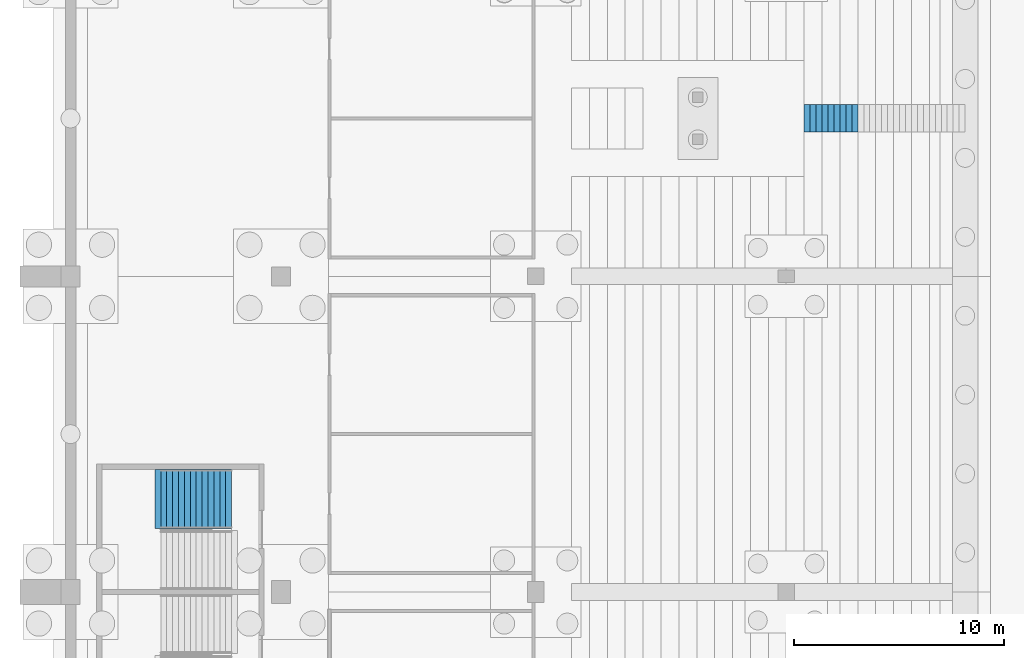
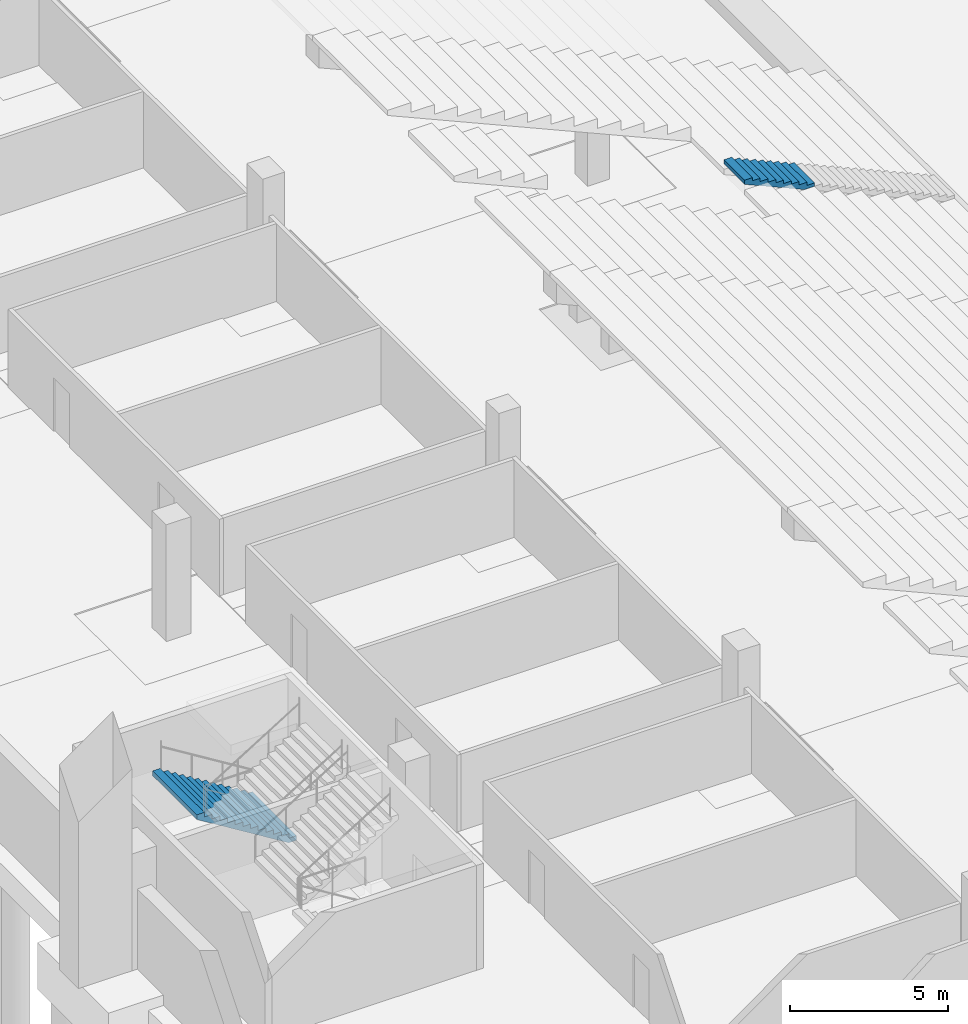
# One storey, part 75 of 115: 2 stair flights, 2 elements without a shape of their own.
"""IFC4 building model written with IfcOpenShell, lengths in metres."""

import ifcopenshell
import ifcopenshell.guid

model = None  # the IFC model being written
_history = None  # IfcOwnerHistory: only IFC2X3 demands one
_inside = {}  # id of a spatial element -> (the spatial element, [elements in it])
_under = {}  # id of a project, library or spatial element -> (it, [spatial elements below it])
_declared = {}  # id of a project -> (the project, [libraries it declares])
_typed = {}  # id of a type object -> (the type object, [elements of that type])
_made_of = {}  # id of a material, layer set ... -> (it, [elements and type objects made of it])


def new_model(schema):
    """Start an empty IFC model of exactly this schema.

    Asked for "IFC4X3", IfcOpenShell would pick the latest addendum, in which some entities
    have other attributes; the version numbers below select the first issue.
    IFC2X3 requires an IfcOwnerHistory on every rooted entity: one is made here for all.
    """
    global model, _history
    if schema == "IFC4X3":
        model = ifcopenshell.file(schema_version=(4, 3, 0, 0))
    else:
        model = ifcopenshell.file(schema=schema)
    _inside.clear()
    _under.clear()
    _declared.clear()
    _typed.clear()
    _made_of.clear()
    _history = None
    if model.schema == "IFC2X3":
        org = make("IfcOrganization", Name="unknown")
        user = make(
            "IfcPersonAndOrganization",
            ThePerson=make("IfcPerson", FamilyName="unknown"),
            TheOrganization=org,
        )
        app = make(
            "IfcApplication",
            ApplicationDeveloper=org,
            Version="unknown",
            ApplicationFullName="unknown",
            ApplicationIdentifier="unknown",
        )
        _history = make(
            "IfcOwnerHistory",
            OwningUser=user,
            OwningApplication=app,
            ChangeAction="ADDED",
            CreationDate=0,
        )
    return model


def make(cls, **values):
    """One entity of the class cls with the attributes given. An attribute that is None is left unset."""
    return model.create_entity(
        cls, **{name: value for name, value in values.items() if value is not None}
    )


def rooted(cls, **values):
    """An entity with a GlobalId (a new one), such as an element, a storey or a relation."""
    return make(cls, GlobalId=ifcopenshell.guid.new(), OwnerHistory=_history, **values)


def si_unit(unit_type, name, prefix=None):
    """IfcSIUnit, for example si_unit("LENGTHUNIT", "METRE", prefix="MILLI")."""
    return make("IfcSIUnit", UnitType=unit_type, Prefix=prefix, Name=name)


def assignment(units):
    """IfcUnitAssignment: the units of a project."""
    return None if units is None else make("IfcUnitAssignment", Units=units)


def point(xyz):
    """IfcCartesianPoint."""
    return None if xyz is None else make("IfcCartesianPoint", Coordinates=xyz)


def direction(xyz):
    """IfcDirection."""
    return None if xyz is None else make("IfcDirection", DirectionRatios=xyz)


def frame(location, z_axis=None, x_axis=None):
    """IfcAxis2Placement3D, a coordinate frame: its origin and axes. An axis left out is left unset."""
    return make(
        "IfcAxis2Placement3D",
        Location=point(location),
        Axis=direction(z_axis),
        RefDirection=direction(x_axis),
    )


def origin():
    """The frame at (0, 0, 0) with its axes left unset."""
    return frame((0.0, 0.0, 0.0))


def place(relative_to, where):
    """IfcLocalPlacement: puts the frame where relative to a parent placement (None: the world)."""
    return make(
        "IfcLocalPlacement", PlacementRelTo=relative_to, RelativePlacement=where
    )


def context(
    kind, dimensions, precision=None, world=None, true_north=None, identifier=None
):
    """IfcGeometricRepresentationContext, for example the 3D "Model" context."""
    return make(
        "IfcGeometricRepresentationContext",
        ContextIdentifier=identifier,
        ContextType=kind,
        CoordinateSpaceDimension=dimensions,
        Precision=precision,
        WorldCoordinateSystem=world,
        TrueNorth=true_north,
    )


def subcontext(parent, identifier, kind, view, scale=None):
    """IfcGeometricRepresentationSubContext, for example "Body" below "Model"."""
    return make(
        "IfcGeometricRepresentationSubContext",
        ContextIdentifier=identifier,
        ContextType=kind,
        ParentContext=parent,
        TargetScale=scale,
        TargetView=view,
    )


def project(units=None, contexts=None):
    """IfcProject with its units and contexts."""
    return rooted(
        "IfcProject",
        Name="project",
        RepresentationContexts=contexts,
        UnitsInContext=assignment(units),
    )


def spatial(cls, under=None, at=None, **own):
    """A site, building, storey or space (cls), placed at a placement, below another one or the project."""
    s = rooted(cls, ObjectPlacement=at, **own)
    if under is not None:
        _under.setdefault(under.id(), (under, []))[1].append(s)
    return s


def faces_of(points, faces, orient=None, outer=None):
    """IfcFace entities. A face is a list of loops; a loop is a list of indices into points, from 0.

    orient and outer hold one flag for each loop. By default every Orientation is true, the
    first loop of a face is its IfcFaceOuterBound and the others are IfcFaceBound.
    """
    made = []
    for i, loops in enumerate(faces):
        bounds = []
        for j, loop in enumerate(loops):
            is_outer = j == 0 if outer is None else outer[i][j]
            bounds.append(
                make(
                    "IfcFaceOuterBound" if is_outer else "IfcFaceBound",
                    Bound=make("IfcPolyLoop", Polygon=[points[k] for k in loop]),
                    Orientation=True if orient is None else orient[i][j],
                )
            )
        made.append(make("IfcFace", Bounds=bounds))
    return made


def faceted_brep(points, faces, orient=None, outer=None, voids=None):
    """IfcFacetedBrep: a solid bounded by flat faces; with voids (closed shells), ...WithVoids."""
    shared = [point(p) for p in points]
    hull = make("IfcClosedShell", CfsFaces=faces_of(shared, faces, orient, outer))
    if voids is None:
        return make("IfcFacetedBrep", Outer=hull)
    return make(
        "IfcFacetedBrepWithVoids",
        Outer=hull,
        Voids=[
            make(cls, CfsFaces=faces_of(shared, fs, o, b)) for cls, fs, o, b in voids
        ],
    )


def shape(context_of_items, identifier, shape_type, items):
    """IfcShapeRepresentation: the items that make up one representation, for example the "Body"."""
    return make(
        "IfcShapeRepresentation",
        ContextOfItems=context_of_items,
        RepresentationIdentifier=identifier,
        RepresentationType=shape_type,
        Items=items,
    )


def material(Name=None, Category=None):
    """IfcMaterial."""
    return make("IfcMaterial", Name=Name, Category=Category)


def made_of(thing, what):
    """Note that an element or type object is made of a material, layer set ...; save() writes the relation."""
    if what is not None:
        _made_of.setdefault(what.id(), (what, []))[1].append(thing)
    return thing


def type_object(cls, material=None, **own):
    """A type object (cls), such as IfcWallType, which elements share."""
    return made_of(rooted(cls, **own), material)


def element(
    cls,
    number,
    at=None,
    inside=None,
    cuts=None,
    type_object=None,
    material=None,
    context=None,
    identifier="Body",
    shape_type=None,
    held_by="IfcProductDefinitionShape",
    body=None,
    shapes=None,
    **own,
):
    """One element of the class cls, such as IfcWall. Its Tag is "e" and its number.

    at: its placement. inside: the storey or other place that contains it. cuts: it is an
    opening in that element (IfcRelVoidsElement). A single representation is given by context,
    identifier, shape_type and body (its items); several are given by shapes. held_by: the class
    of the entity that holds the representations. save() writes the other relations.
    """
    e = rooted(cls, Tag="e%d" % number, ObjectPlacement=at, **own)
    if body is not None:
        shapes = [shape(context, identifier, shape_type, body)]
    if shapes is not None:
        e.Representation = make(held_by, Representations=shapes)
    if inside is not None:
        _inside.setdefault(inside.id(), (inside, []))[1].append(e)
    if cuts is not None:
        rooted(
            "IfcRelVoidsElement", RelatingBuildingElement=cuts, RelatedOpeningElement=e
        )
    if type_object is not None:
        _typed.setdefault(type_object.id(), (type_object, []))[1].append(e)
    return made_of(e, material)


def aggregate(whole, parts):
    """IfcRelAggregates: a whole, such as a stair, and the parts it consists of."""
    return rooted("IfcRelAggregates", RelatingObject=whole, RelatedObjects=parts)


def save(model, path):
    """Write the relations noted so far, then the file.

    IfcRelAggregates (storeys below a building ...), IfcRelContainedInSpatialStructure (elements
    in a storey), IfcRelDefinesByType, IfcRelAssociatesMaterial and IfcRelDeclares: one each for
    every whole, place, type object, material and project.
    """
    for whole, parts in _under.values():
        aggregate(whole, parts)
    for where, things in _inside.values():
        rooted(
            "IfcRelContainedInSpatialStructure",
            RelatedElements=things,
            RelatingStructure=where,
        )
    for kind, things in _typed.values():
        rooted("IfcRelDefinesByType", RelatedObjects=things, RelatingType=kind)
    for what, things in _made_of.values():
        rooted("IfcRelAssociatesMaterial", RelatedObjects=things, RelatingMaterial=what)
    for by, libraries in _declared.values():
        rooted("IfcRelDeclares", RelatingContext=by, RelatedDefinitions=libraries)
    model.write(path)


model = new_model("IFC4")

# Units and contexts
model_context = context("Model", 3, precision=1e-05, world=origin(), true_north=direction((0.0, 1.0)))
body_context = subcontext(model_context, "Body", "Model", "MODEL_VIEW")
ifc_project = project(units=[si_unit("LENGTHUNIT", "METRE"), si_unit("AREAUNIT", "SQUARE_METRE"), si_unit("VOLUMEUNIT", "CUBIC_METRE"), si_unit("PLANEANGLEUNIT", "RADIAN"), si_unit("MASSUNIT", "GRAM", prefix="KILO")], contexts=[model_context])

# Site, building, storey
site_placement = place(None, origin())
site = spatial("IfcSite", under=ifc_project, at=site_placement, CompositionType="ELEMENT")
building_placement = place(site_placement, origin())
building = spatial("IfcBuilding", under=site, at=building_placement, Name="Ogive Plaza Stadium", CompositionType="ELEMENT")
storey_placement = place(building_placement, frame((0.0, 0.0, -4.5)))
storey = spatial("IfcBuildingStorey", under=building, at=storey_placement, Name="B1", CompositionType="ELEMENT", Elevation=-4.5)

# Stair, stair flight
ifc_material_1 = material(Name="Concrete C40/50", Category="concrete")
stair_type_1 = type_object("IfcStairType", Name="Aisle stair", PredefinedType="STRAIGHT_RUN_STAIR", material=ifc_material_1)
stair_1_placement = place(storey_placement, origin())
stair_1 = element("IfcStair", 1, at=stair_1_placement, inside=storey, type_object=stair_type_1, Name="Aisle stair SA23D", PredefinedType="STRAIGHT_RUN_STAIR")
ifc_material_2 = material(Name="Concrete C40/50", Category="concrete")
stair_flight_type_1 = type_object("IfcStairFlightType", Name="Aisle stair flight", PredefinedType="STRAIGHT", material=ifc_material_2)
stair_flight_1_placement = place(storey_placement, frame((-46.60009765625, -15.0, 3.375), z_axis=(0.0, 0.0, 1.0), x_axis=(-1.0, 0.0, 0.0)))
stair_flight_1 = element("IfcStairFlight", 2, at=stair_flight_1_placement, type_object=stair_flight_type_1, Name="SA23D flight 2", NumberOfRisers=9, NumberOfTreads=8, PredefinedType="STRAIGHT", RiserHeight=0.125, TreadLength=0.283333333, context=body_context, shape_type="Brep", body=[
    faceted_brep([(0.371337890625, -0.64990234375, 0.0), (2.550048828125, -0.64990234375, 0.961181640625), (2.550048828125, -0.64990234375, 1.125), (2.2666015625, -0.64990234375, 1.125), (2.2666015625, -0.64990234375, 1.0), (1.9833984375, -0.64990234375, 1.0), (1.9833984375, -0.64990234375, 0.875), (1.699951171875, -0.64990234375, 0.875), (1.699951171875, -0.64990234375, 0.75), (1.416748046875, -0.64990234375, 0.75), (1.416748046875, -0.64990234375, 0.625), (1.13330078125, -0.64990234375, 0.625), (1.13330078125, -0.64990234375, 0.5), (0.85009765625, -0.64990234375, 0.5), (0.85009765625, -0.64990234375, 0.375), (0.566650390625, -0.64990234375, 0.375), (0.566650390625, -0.64990234375, 0.25), (0.283447265625, -0.64990234375, 0.25), (0.283447265625, -0.64990234375, 0.125), (0.0, -0.64990234375, 0.125), (0.0, -0.64990234375, 0.0), (0.0, 0.64990234375, 0.0), (0.0, 0.64990234375, 0.125), (0.283447265625, 0.64990234375, 0.125), (0.283447265625, 0.64990234375, 0.25), (0.566650390625, 0.64990234375, 0.25), (0.566650390625, 0.64990234375, 0.375), (0.85009765625, 0.64990234375, 0.375), (0.85009765625, 0.64990234375, 0.5), (1.13330078125, 0.64990234375, 0.5), (1.13330078125, 0.64990234375, 0.625), (1.416748046875, 0.64990234375, 0.625), (1.416748046875, 0.64990234375, 0.75), (1.699951171875, 0.64990234375, 0.75), (1.699951171875, 0.64990234375, 0.875), (1.9833984375, 0.64990234375, 0.875), (1.9833984375, 0.64990234375, 1.0), (2.2666015625, 0.64990234375, 1.0), (2.2666015625, 0.64990234375, 1.125), (2.550048828125, 0.64990234375, 1.125), (2.550048828125, 0.64990234375, 0.961181640625), (0.371337890625, 0.64990234375, 0.0), (0.371337890625, -0.324951171875, 0.0), (2.550048828125, -0.324951171875, 0.961181640625), (0.371337890625, 0.0, 0.0), (2.550048828125, 0.0, 0.961181640625), (0.371337890625, 0.324951171875, 0.0), (2.550048828125, 0.324951171875, 0.961181640625), (2.550048828125, -0.324951171875, 1.125), (2.550048828125, 0.0, 1.125), (2.550048828125, 0.324951171875, 1.125), (2.2666015625, -0.324951171875, 1.125), (2.2666015625, 0.0, 1.125), (2.2666015625, 0.324951171875, 1.125), (2.2666015625, -0.324951171875, 1.0), (2.2666015625, 0.0, 1.0), (2.2666015625, 0.324951171875, 1.0), (1.9833984375, -0.324951171875, 1.0), (1.9833984375, 0.0, 1.0), (1.9833984375, 0.324951171875, 1.0), (1.9833984375, -0.324951171875, 0.875), (1.9833984375, 0.0, 0.875), (1.9833984375, 0.324951171875, 0.875), (1.699951171875, -0.324951171875, 0.875), (1.699951171875, 0.0, 0.875), (1.699951171875, 0.324951171875, 0.875), (1.699951171875, -0.324951171875, 0.75), (1.699951171875, 0.0, 0.75), (1.699951171875, 0.324951171875, 0.75), (1.416748046875, -0.324951171875, 0.75), (1.416748046875, 0.0, 0.75), (1.416748046875, 0.324951171875, 0.75), (1.416748046875, -0.324951171875, 0.625), (1.416748046875, 0.0, 0.625), (1.416748046875, 0.324951171875, 0.625), (1.13330078125, -0.324951171875, 0.625), (1.13330078125, 0.0, 0.625), (1.13330078125, 0.324951171875, 0.625), (1.13330078125, -0.324951171875, 0.5), (1.13330078125, 0.0, 0.5), (1.13330078125, 0.324951171875, 0.5), (0.85009765625, -0.324951171875, 0.5), (0.85009765625, 0.0, 0.5), (0.85009765625, 0.324951171875, 0.5), (0.85009765625, -0.324951171875, 0.375), (0.85009765625, 0.0, 0.375), (0.85009765625, 0.324951171875, 0.375), (0.566650390625, -0.324951171875, 0.375), (0.566650390625, 0.0, 0.375), (0.566650390625, 0.324951171875, 0.375), (0.566650390625, -0.324951171875, 0.25), (0.566650390625, 0.0, 0.25), (0.566650390625, 0.324951171875, 0.25), (0.283447265625, -0.324951171875, 0.25), (0.283447265625, 0.0, 0.25), (0.283447265625, 0.324951171875, 0.25), (0.283447265625, -0.324951171875, 0.125), (0.283447265625, 0.0, 0.125), (0.283447265625, 0.324951171875, 0.125), (0.0, -0.324951171875, 0.125), (0.0, 0.0, 0.125), (0.0, 0.324951171875, 0.125), (0.0, -0.324951171875, 0.0), (0.0, 0.0, 0.0), (0.0, 0.324951171875, 0.0)], [[[0, 1, 2, 3, 4, 5, 6, 7, 8, 9, 10, 11, 12, 13, 14, 15, 16, 17, 18, 19, 20]], [[21, 22, 23, 24, 25, 26, 27, 28, 29, 30, 31, 32, 33, 34, 35, 36, 37, 38, 39, 40, 41]], [[0, 42, 43, 1]], [[42, 44, 45, 43]], [[44, 46, 47, 45]], [[46, 41, 40, 47]], [[1, 43, 48, 2]], [[43, 45, 49, 48]], [[45, 47, 50, 49]], [[47, 40, 39, 50]], [[2, 48, 51, 3]], [[48, 49, 52, 51]], [[49, 50, 53, 52]], [[50, 39, 38, 53]], [[3, 51, 54, 4]], [[51, 52, 55, 54]], [[52, 53, 56, 55]], [[53, 38, 37, 56]], [[4, 54, 57, 5]], [[54, 55, 58, 57]], [[55, 56, 59, 58]], [[56, 37, 36, 59]], [[5, 57, 60, 6]], [[57, 58, 61, 60]], [[58, 59, 62, 61]], [[59, 36, 35, 62]], [[6, 60, 63, 7]], [[60, 61, 64, 63]], [[61, 62, 65, 64]], [[62, 35, 34, 65]], [[7, 63, 66, 8]], [[63, 64, 67, 66]], [[64, 65, 68, 67]], [[65, 34, 33, 68]], [[8, 66, 69, 9]], [[66, 67, 70, 69]], [[67, 68, 71, 70]], [[68, 33, 32, 71]], [[9, 69, 72, 10]], [[69, 70, 73, 72]], [[70, 71, 74, 73]], [[71, 32, 31, 74]], [[10, 72, 75, 11]], [[72, 73, 76, 75]], [[73, 74, 77, 76]], [[74, 31, 30, 77]], [[11, 75, 78, 12]], [[75, 76, 79, 78]], [[76, 77, 80, 79]], [[77, 30, 29, 80]], [[12, 78, 81, 13]], [[78, 79, 82, 81]], [[79, 80, 83, 82]], [[80, 29, 28, 83]], [[13, 81, 84, 14]], [[81, 82, 85, 84]], [[82, 83, 86, 85]], [[83, 28, 27, 86]], [[14, 84, 87, 15]], [[84, 85, 88, 87]], [[85, 86, 89, 88]], [[86, 27, 26, 89]], [[15, 87, 90, 16]], [[87, 88, 91, 90]], [[88, 89, 92, 91]], [[89, 26, 25, 92]], [[16, 90, 93, 17]], [[90, 91, 94, 93]], [[91, 92, 95, 94]], [[92, 25, 24, 95]], [[17, 93, 96, 18]], [[93, 94, 97, 96]], [[94, 95, 98, 97]], [[95, 24, 23, 98]], [[18, 96, 99, 19]], [[96, 97, 100, 99]], [[97, 98, 101, 100]], [[98, 23, 22, 101]], [[19, 99, 102, 20]], [[99, 100, 103, 102]], [[100, 101, 104, 103]], [[101, 22, 21, 104]], [[20, 102, 42, 0]], [[102, 103, 44, 42]], [[103, 104, 46, 44]], [[104, 21, 41, 46]]]),
])
aggregate(stair_1, [stair_flight_1])

ifc_material_3 = material(Name="Concrete C40/50", Category="concrete")
stair_type_2 = type_object("IfcStairType", Name="Exit stair", PredefinedType="STRAIGHT_RUN_STAIR", material=ifc_material_3)
stair_2_placement = place(storey_placement, origin())
stair_2 = element("IfcStair", 3, at=stair_2_placement, inside=storey, type_object=stair_type_2, Name="Exit stair ST22A B1 to L00", PredefinedType="STRAIGHT_RUN_STAIR")
ifc_material_4 = material(Name="Concrete C40/50", Category="concrete")
stair_flight_type_2 = type_object("IfcStairFlightType", Name="Exit stair flight", PredefinedType="STRAIGHT", material=ifc_material_4)
stair_flight_2_placement = place(storey_placement, frame((-76.35009765625, -33.074951171875, 0.0), z_axis=(0.0, 0.0, 1.0), x_axis=(-1.0, 0.0, 0.0)))
stair_flight_2 = element("IfcStairFlight", 4, at=stair_flight_2_placement, type_object=stair_flight_type_2, Name="ST22A flight 1", NumberOfRisers=13, NumberOfTreads=12, PredefinedType="STRAIGHT", RiserHeight=0.173076923, TreadLength=0.28, context=body_context, shape_type="Brep", body=[
    faceted_brep([(0.28515625, -1.39990234375, 0.0), (3.639892578125, -1.39990234375, 2.07373046875), (3.639892578125, -1.39990234375, 2.25), (3.360107421875, -1.39990234375, 2.25), (3.360107421875, -1.39990234375, 2.076904296875), (3.080078125, -1.39990234375, 2.076904296875), (3.080078125, -1.39990234375, 1.90380859375), (2.800048828125, -1.39990234375, 1.90380859375), (2.800048828125, -1.39990234375, 1.730712890625), (2.52001953125, -1.39990234375, 1.730712890625), (2.52001953125, -1.39990234375, 1.5576171875), (2.239990234375, -1.39990234375, 1.5576171875), (2.239990234375, -1.39990234375, 1.384521484375), (1.9599609375, -1.39990234375, 1.384521484375), (1.9599609375, -1.39990234375, 1.21142578125), (1.679931640625, -1.39990234375, 1.21142578125), (1.679931640625, -1.39990234375, 1.03857421875), (1.39990234375, -1.39990234375, 1.03857421875), (1.39990234375, -1.39990234375, 0.865478515625), (1.1201171875, -1.39990234375, 0.865478515625), (1.1201171875, -1.39990234375, 0.6923828125), (0.840087890625, -1.39990234375, 0.6923828125), (0.840087890625, -1.39990234375, 0.519287109375), (0.56005859375, -1.39990234375, 0.519287109375), (0.56005859375, -1.39990234375, 0.34619140625), (0.280029296875, -1.39990234375, 0.34619140625), (0.280029296875, -1.39990234375, 0.173095703125), (0.0, -1.39990234375, 0.173095703125), (0.0, -1.39990234375, 0.0), (0.0, 1.39990234375, 0.0), (0.0, 1.39990234375, 0.173095703125), (0.280029296875, 1.39990234375, 0.173095703125), (0.280029296875, 1.39990234375, 0.34619140625), (0.56005859375, 1.39990234375, 0.34619140625), (0.56005859375, 1.39990234375, 0.519287109375), (0.840087890625, 1.39990234375, 0.519287109375), (0.840087890625, 1.39990234375, 0.6923828125), (1.1201171875, 1.39990234375, 0.6923828125), (1.1201171875, 1.39990234375, 0.865478515625), (1.39990234375, 1.39990234375, 0.865478515625), (1.39990234375, 1.39990234375, 1.03857421875), (1.679931640625, 1.39990234375, 1.03857421875), (1.679931640625, 1.39990234375, 1.21142578125), (1.9599609375, 1.39990234375, 1.21142578125), (1.9599609375, 1.39990234375, 1.384521484375), (2.239990234375, 1.39990234375, 1.384521484375), (2.239990234375, 1.39990234375, 1.5576171875), (2.52001953125, 1.39990234375, 1.5576171875), (2.52001953125, 1.39990234375, 1.730712890625), (2.800048828125, 1.39990234375, 1.730712890625), (2.800048828125, 1.39990234375, 1.90380859375), (3.080078125, 1.39990234375, 1.90380859375), (3.080078125, 1.39990234375, 2.076904296875), (3.360107421875, 1.39990234375, 2.076904296875), (3.360107421875, 1.39990234375, 2.25), (3.639892578125, 1.39990234375, 2.25), (3.639892578125, 1.39990234375, 2.07373046875), (0.28515625, 1.39990234375, 0.0), (0.28515625, -1.0888671875, 0.0), (3.639892578125, -1.0888671875, 2.07373046875), (0.28515625, -0.77783203125, 0.0), (3.639892578125, -0.77783203125, 2.07373046875), (0.28515625, -0.466796875, 0.0), (3.639892578125, -0.466796875, 2.07373046875), (0.28515625, -0.155517578125, 0.0), (3.639892578125, -0.155517578125, 2.07373046875), (0.28515625, 0.155517578125, 0.0), (3.639892578125, 0.155517578125, 2.07373046875), (0.28515625, 0.466796875, 0.0), (3.639892578125, 0.466796875, 2.07373046875), (0.28515625, 0.77783203125, 0.0), (3.639892578125, 0.77783203125, 2.07373046875), (0.28515625, 1.0888671875, 0.0), (3.639892578125, 1.0888671875, 2.07373046875), (3.639892578125, -1.0888671875, 2.25), (3.639892578125, -0.77783203125, 2.25), (3.639892578125, -0.466796875, 2.25), (3.639892578125, -0.155517578125, 2.25), (3.639892578125, 0.155517578125, 2.25), (3.639892578125, 0.466796875, 2.25), (3.639892578125, 0.77783203125, 2.25), (3.639892578125, 1.0888671875, 2.25), (3.360107421875, -1.0888671875, 2.25), (3.360107421875, -0.77783203125, 2.25), (3.360107421875, -0.466796875, 2.25), (3.360107421875, -0.155517578125, 2.25), (3.360107421875, 0.155517578125, 2.25), (3.360107421875, 0.466796875, 2.25), (3.360107421875, 0.77783203125, 2.25), (3.360107421875, 1.0888671875, 2.25), (3.360107421875, -1.0888671875, 2.076904296875), (3.360107421875, -0.77783203125, 2.076904296875), (3.360107421875, -0.466796875, 2.076904296875), (3.360107421875, -0.155517578125, 2.076904296875), (3.360107421875, 0.155517578125, 2.076904296875), (3.360107421875, 0.466796875, 2.076904296875), (3.360107421875, 0.77783203125, 2.076904296875), (3.360107421875, 1.0888671875, 2.076904296875), (3.080078125, -1.0888671875, 2.076904296875), (3.080078125, -0.77783203125, 2.076904296875), (3.080078125, -0.466796875, 2.076904296875), (3.080078125, -0.155517578125, 2.076904296875), (3.080078125, 0.155517578125, 2.076904296875), (3.080078125, 0.466796875, 2.076904296875), (3.080078125, 0.77783203125, 2.076904296875), (3.080078125, 1.0888671875, 2.076904296875), (3.080078125, -1.0888671875, 1.90380859375), (3.080078125, -0.77783203125, 1.90380859375), (3.080078125, -0.466796875, 1.90380859375), (3.080078125, -0.155517578125, 1.90380859375), (3.080078125, 0.155517578125, 1.90380859375), (3.080078125, 0.466796875, 1.90380859375), (3.080078125, 0.77783203125, 1.90380859375), (3.080078125, 1.0888671875, 1.90380859375), (2.800048828125, -1.0888671875, 1.90380859375), (2.800048828125, -0.77783203125, 1.90380859375), (2.800048828125, -0.466796875, 1.90380859375), (2.800048828125, -0.155517578125, 1.90380859375), (2.800048828125, 0.155517578125, 1.90380859375), (2.800048828125, 0.466796875, 1.90380859375), (2.800048828125, 0.77783203125, 1.90380859375), (2.800048828125, 1.0888671875, 1.90380859375), (2.800048828125, -1.0888671875, 1.730712890625), (2.800048828125, -0.77783203125, 1.730712890625), (2.800048828125, -0.466796875, 1.730712890625), (2.800048828125, -0.155517578125, 1.730712890625), (2.800048828125, 0.155517578125, 1.730712890625), (2.800048828125, 0.466796875, 1.730712890625), (2.800048828125, 0.77783203125, 1.730712890625), (2.800048828125, 1.0888671875, 1.730712890625), (2.52001953125, -1.0888671875, 1.730712890625), (2.52001953125, -0.77783203125, 1.730712890625), (2.52001953125, -0.466796875, 1.730712890625), (2.52001953125, -0.155517578125, 1.730712890625), (2.52001953125, 0.155517578125, 1.730712890625), (2.52001953125, 0.466796875, 1.730712890625), (2.52001953125, 0.77783203125, 1.730712890625), (2.52001953125, 1.0888671875, 1.730712890625), (2.52001953125, -1.0888671875, 1.5576171875), (2.52001953125, -0.77783203125, 1.5576171875), (2.52001953125, -0.466796875, 1.5576171875), (2.52001953125, -0.155517578125, 1.5576171875), (2.52001953125, 0.155517578125, 1.5576171875), (2.52001953125, 0.466796875, 1.5576171875), (2.52001953125, 0.77783203125, 1.5576171875), (2.52001953125, 1.0888671875, 1.5576171875), (2.239990234375, -1.0888671875, 1.5576171875), (2.239990234375, -0.77783203125, 1.5576171875), (2.239990234375, -0.466796875, 1.5576171875), (2.239990234375, -0.155517578125, 1.5576171875), (2.239990234375, 0.155517578125, 1.5576171875), (2.239990234375, 0.466796875, 1.5576171875), (2.239990234375, 0.77783203125, 1.5576171875), (2.239990234375, 1.0888671875, 1.5576171875), (2.239990234375, -1.0888671875, 1.384521484375), (2.239990234375, -0.77783203125, 1.384521484375), (2.239990234375, -0.466796875, 1.384521484375), (2.239990234375, -0.155517578125, 1.384521484375), (2.239990234375, 0.155517578125, 1.384521484375), (2.239990234375, 0.466796875, 1.384521484375), (2.239990234375, 0.77783203125, 1.384521484375), (2.239990234375, 1.0888671875, 1.384521484375), (1.9599609375, -1.0888671875, 1.384521484375), (1.9599609375, -0.77783203125, 1.384521484375), (1.9599609375, -0.466796875, 1.384521484375), (1.9599609375, -0.155517578125, 1.384521484375), (1.9599609375, 0.155517578125, 1.384521484375), (1.9599609375, 0.466796875, 1.384521484375), (1.9599609375, 0.77783203125, 1.384521484375), (1.9599609375, 1.0888671875, 1.384521484375), (1.9599609375, -1.0888671875, 1.21142578125), (1.9599609375, -0.77783203125, 1.21142578125), (1.9599609375, -0.466796875, 1.21142578125), (1.9599609375, -0.155517578125, 1.21142578125), (1.9599609375, 0.155517578125, 1.21142578125), (1.9599609375, 0.466796875, 1.21142578125), (1.9599609375, 0.77783203125, 1.21142578125), (1.9599609375, 1.0888671875, 1.21142578125), (1.679931640625, -1.0888671875, 1.21142578125), (1.679931640625, -0.77783203125, 1.21142578125), (1.679931640625, -0.466796875, 1.21142578125), (1.679931640625, -0.155517578125, 1.21142578125), (1.679931640625, 0.155517578125, 1.21142578125), (1.679931640625, 0.466796875, 1.21142578125), (1.679931640625, 0.77783203125, 1.21142578125), (1.679931640625, 1.0888671875, 1.21142578125), (1.679931640625, -1.0888671875, 1.03857421875), (1.679931640625, -0.77783203125, 1.03857421875), (1.679931640625, -0.466796875, 1.03857421875), (1.679931640625, -0.155517578125, 1.03857421875), (1.679931640625, 0.155517578125, 1.03857421875), (1.679931640625, 0.466796875, 1.03857421875), (1.679931640625, 0.77783203125, 1.03857421875), (1.679931640625, 1.0888671875, 1.03857421875), (1.39990234375, -1.0888671875, 1.03857421875), (1.39990234375, -0.77783203125, 1.03857421875), (1.39990234375, -0.466796875, 1.03857421875), (1.39990234375, -0.155517578125, 1.03857421875), (1.39990234375, 0.155517578125, 1.03857421875), (1.39990234375, 0.466796875, 1.03857421875), (1.39990234375, 0.77783203125, 1.03857421875), (1.39990234375, 1.0888671875, 1.03857421875), (1.39990234375, -1.0888671875, 0.865478515625), (1.39990234375, -0.77783203125, 0.865478515625), (1.39990234375, -0.466796875, 0.865478515625), (1.39990234375, -0.155517578125, 0.865478515625), (1.39990234375, 0.155517578125, 0.865478515625), (1.39990234375, 0.466796875, 0.865478515625), (1.39990234375, 0.77783203125, 0.865478515625), (1.39990234375, 1.0888671875, 0.865478515625), (1.1201171875, -1.0888671875, 0.865478515625), (1.1201171875, -0.77783203125, 0.865478515625), (1.1201171875, -0.466796875, 0.865478515625), (1.1201171875, -0.155517578125, 0.865478515625), (1.1201171875, 0.155517578125, 0.865478515625), (1.1201171875, 0.466796875, 0.865478515625), (1.1201171875, 0.77783203125, 0.865478515625), (1.1201171875, 1.0888671875, 0.865478515625), (1.1201171875, -1.0888671875, 0.6923828125), (1.1201171875, -0.77783203125, 0.6923828125), (1.1201171875, -0.466796875, 0.6923828125), (1.1201171875, -0.155517578125, 0.6923828125), (1.1201171875, 0.155517578125, 0.6923828125), (1.1201171875, 0.466796875, 0.6923828125), (1.1201171875, 0.77783203125, 0.6923828125), (1.1201171875, 1.0888671875, 0.6923828125), (0.840087890625, -1.0888671875, 0.6923828125), (0.840087890625, -0.77783203125, 0.6923828125), (0.840087890625, -0.466796875, 0.6923828125), (0.840087890625, -0.155517578125, 0.6923828125), (0.840087890625, 0.155517578125, 0.6923828125), (0.840087890625, 0.466796875, 0.6923828125), (0.840087890625, 0.77783203125, 0.6923828125), (0.840087890625, 1.0888671875, 0.6923828125), (0.840087890625, -1.0888671875, 0.519287109375), (0.840087890625, -0.77783203125, 0.519287109375), (0.840087890625, -0.466796875, 0.519287109375), (0.840087890625, -0.155517578125, 0.519287109375), (0.840087890625, 0.155517578125, 0.519287109375), (0.840087890625, 0.466796875, 0.519287109375), (0.840087890625, 0.77783203125, 0.519287109375), (0.840087890625, 1.0888671875, 0.519287109375), (0.56005859375, -1.0888671875, 0.519287109375), (0.56005859375, -0.77783203125, 0.519287109375), (0.56005859375, -0.466796875, 0.519287109375), (0.56005859375, -0.155517578125, 0.519287109375), (0.56005859375, 0.155517578125, 0.519287109375), (0.56005859375, 0.466796875, 0.519287109375), (0.56005859375, 0.77783203125, 0.519287109375), (0.56005859375, 1.0888671875, 0.519287109375), (0.56005859375, -1.0888671875, 0.34619140625), (0.56005859375, -0.77783203125, 0.34619140625), (0.56005859375, -0.466796875, 0.34619140625), (0.56005859375, -0.155517578125, 0.34619140625), (0.56005859375, 0.155517578125, 0.34619140625), (0.56005859375, 0.466796875, 0.34619140625), (0.56005859375, 0.77783203125, 0.34619140625), (0.56005859375, 1.0888671875, 0.34619140625), (0.280029296875, -1.0888671875, 0.34619140625), (0.280029296875, -0.77783203125, 0.34619140625), (0.280029296875, -0.466796875, 0.34619140625), (0.280029296875, -0.155517578125, 0.34619140625), (0.280029296875, 0.155517578125, 0.34619140625), (0.280029296875, 0.466796875, 0.34619140625), (0.280029296875, 0.77783203125, 0.34619140625), (0.280029296875, 1.0888671875, 0.34619140625), (0.280029296875, -1.0888671875, 0.173095703125), (0.280029296875, -0.77783203125, 0.173095703125), (0.280029296875, -0.466796875, 0.173095703125), (0.280029296875, -0.155517578125, 0.173095703125), (0.280029296875, 0.155517578125, 0.173095703125), (0.280029296875, 0.466796875, 0.173095703125), (0.280029296875, 0.77783203125, 0.173095703125), (0.280029296875, 1.0888671875, 0.173095703125), (0.0, -1.0888671875, 0.173095703125), (0.0, -0.77783203125, 0.173095703125), (0.0, -0.466796875, 0.173095703125), (0.0, -0.155517578125, 0.173095703125), (0.0, 0.155517578125, 0.173095703125), (0.0, 0.466796875, 0.173095703125), (0.0, 0.77783203125, 0.173095703125), (0.0, 1.0888671875, 0.173095703125), (0.0, -1.0888671875, 0.0), (0.0, -0.77783203125, 0.0), (0.0, -0.466796875, 0.0), (0.0, -0.155517578125, 0.0), (0.0, 0.155517578125, 0.0), (0.0, 0.466796875, 0.0), (0.0, 0.77783203125, 0.0), (0.0, 1.0888671875, 0.0)], [[[0, 1, 2, 3, 4, 5, 6, 7, 8, 9, 10, 11, 12, 13, 14, 15, 16, 17, 18, 19, 20, 21, 22, 23, 24, 25, 26, 27, 28]], [[29, 30, 31, 32, 33, 34, 35, 36, 37, 38, 39, 40, 41, 42, 43, 44, 45, 46, 47, 48, 49, 50, 51, 52, 53, 54, 55, 56, 57]], [[0, 58, 59, 1]], [[58, 60, 61, 59]], [[60, 62, 63, 61]], [[62, 64, 65, 63]], [[64, 66, 67, 65]], [[66, 68, 69, 67]], [[68, 70, 71, 69]], [[70, 72, 73, 71]], [[72, 57, 56, 73]], [[1, 59, 74, 2]], [[59, 61, 75, 74]], [[61, 63, 76, 75]], [[63, 65, 77, 76]], [[65, 67, 78, 77]], [[67, 69, 79, 78]], [[69, 71, 80, 79]], [[71, 73, 81, 80]], [[73, 56, 55, 81]], [[2, 74, 82, 3]], [[74, 75, 83, 82]], [[75, 76, 84, 83]], [[76, 77, 85, 84]], [[77, 78, 86, 85]], [[78, 79, 87, 86]], [[79, 80, 88, 87]], [[80, 81, 89, 88]], [[81, 55, 54, 89]], [[3, 82, 90, 4]], [[82, 83, 91, 90]], [[83, 84, 92, 91]], [[84, 85, 93, 92]], [[85, 86, 94, 93]], [[86, 87, 95, 94]], [[87, 88, 96, 95]], [[88, 89, 97, 96]], [[89, 54, 53, 97]], [[4, 90, 98, 5]], [[90, 91, 99, 98]], [[91, 92, 100, 99]], [[92, 93, 101, 100]], [[93, 94, 102, 101]], [[94, 95, 103, 102]], [[95, 96, 104, 103]], [[96, 97, 105, 104]], [[97, 53, 52, 105]], [[5, 98, 106, 6]], [[98, 99, 107, 106]], [[99, 100, 108, 107]], [[100, 101, 109, 108]], [[101, 102, 110, 109]], [[102, 103, 111, 110]], [[103, 104, 112, 111]], [[104, 105, 113, 112]], [[105, 52, 51, 113]], [[6, 106, 114, 7]], [[106, 107, 115, 114]], [[107, 108, 116, 115]], [[108, 109, 117, 116]], [[109, 110, 118, 117]], [[110, 111, 119, 118]], [[111, 112, 120, 119]], [[112, 113, 121, 120]], [[113, 51, 50, 121]], [[7, 114, 122, 8]], [[114, 115, 123, 122]], [[115, 116, 124, 123]], [[116, 117, 125, 124]], [[117, 118, 126, 125]], [[118, 119, 127, 126]], [[119, 120, 128, 127]], [[120, 121, 129, 128]], [[121, 50, 49, 129]], [[8, 122, 130, 9]], [[122, 123, 131, 130]], [[123, 124, 132, 131]], [[124, 125, 133, 132]], [[125, 126, 134, 133]], [[126, 127, 135, 134]], [[127, 128, 136, 135]], [[128, 129, 137, 136]], [[129, 49, 48, 137]], [[9, 130, 138, 10]], [[130, 131, 139, 138]], [[131, 132, 140, 139]], [[132, 133, 141, 140]], [[133, 134, 142, 141]], [[134, 135, 143, 142]], [[135, 136, 144, 143]], [[136, 137, 145, 144]], [[137, 48, 47, 145]], [[10, 138, 146, 11]], [[138, 139, 147, 146]], [[139, 140, 148, 147]], [[140, 141, 149, 148]], [[141, 142, 150, 149]], [[142, 143, 151, 150]], [[143, 144, 152, 151]], [[144, 145, 153, 152]], [[145, 47, 46, 153]], [[11, 146, 154, 12]], [[146, 147, 155, 154]], [[147, 148, 156, 155]], [[148, 149, 157, 156]], [[149, 150, 158, 157]], [[150, 151, 159, 158]], [[151, 152, 160, 159]], [[152, 153, 161, 160]], [[153, 46, 45, 161]], [[12, 154, 162, 13]], [[154, 155, 163, 162]], [[155, 156, 164, 163]], [[156, 157, 165, 164]], [[157, 158, 166, 165]], [[158, 159, 167, 166]], [[159, 160, 168, 167]], [[160, 161, 169, 168]], [[161, 45, 44, 169]], [[13, 162, 170, 14]], [[162, 163, 171, 170]], [[163, 164, 172, 171]], [[164, 165, 173, 172]], [[165, 166, 174, 173]], [[166, 167, 175, 174]], [[167, 168, 176, 175]], [[168, 169, 177, 176]], [[169, 44, 43, 177]], [[14, 170, 178, 15]], [[170, 171, 179, 178]], [[171, 172, 180, 179]], [[172, 173, 181, 180]], [[173, 174, 182, 181]], [[174, 175, 183, 182]], [[175, 176, 184, 183]], [[176, 177, 185, 184]], [[177, 43, 42, 185]], [[15, 178, 186, 16]], [[178, 179, 187, 186]], [[179, 180, 188, 187]], [[180, 181, 189, 188]], [[181, 182, 190, 189]], [[182, 183, 191, 190]], [[183, 184, 192, 191]], [[184, 185, 193, 192]], [[185, 42, 41, 193]], [[16, 186, 194, 17]], [[186, 187, 195, 194]], [[187, 188, 196, 195]], [[188, 189, 197, 196]], [[189, 190, 198, 197]], [[190, 191, 199, 198]], [[191, 192, 200, 199]], [[192, 193, 201, 200]], [[193, 41, 40, 201]], [[17, 194, 202, 18]], [[194, 195, 203, 202]], [[195, 196, 204, 203]], [[196, 197, 205, 204]], [[197, 198, 206, 205]], [[198, 199, 207, 206]], [[199, 200, 208, 207]], [[200, 201, 209, 208]], [[201, 40, 39, 209]], [[18, 202, 210, 19]], [[202, 203, 211, 210]], [[203, 204, 212, 211]], [[204, 205, 213, 212]], [[205, 206, 214, 213]], [[206, 207, 215, 214]], [[207, 208, 216, 215]], [[208, 209, 217, 216]], [[209, 39, 38, 217]], [[19, 210, 218, 20]], [[210, 211, 219, 218]], [[211, 212, 220, 219]], [[212, 213, 221, 220]], [[213, 214, 222, 221]], [[214, 215, 223, 222]], [[215, 216, 224, 223]], [[216, 217, 225, 224]], [[217, 38, 37, 225]], [[20, 218, 226, 21]], [[218, 219, 227, 226]], [[219, 220, 228, 227]], [[220, 221, 229, 228]], [[221, 222, 230, 229]], [[222, 223, 231, 230]], [[223, 224, 232, 231]], [[224, 225, 233, 232]], [[225, 37, 36, 233]], [[21, 226, 234, 22]], [[226, 227, 235, 234]], [[227, 228, 236, 235]], [[228, 229, 237, 236]], [[229, 230, 238, 237]], [[230, 231, 239, 238]], [[231, 232, 240, 239]], [[232, 233, 241, 240]], [[233, 36, 35, 241]], [[22, 234, 242, 23]], [[234, 235, 243, 242]], [[235, 236, 244, 243]], [[236, 237, 245, 244]], [[237, 238, 246, 245]], [[238, 239, 247, 246]], [[239, 240, 248, 247]], [[240, 241, 249, 248]], [[241, 35, 34, 249]], [[23, 242, 250, 24]], [[242, 243, 251, 250]], [[243, 244, 252, 251]], [[244, 245, 253, 252]], [[245, 246, 254, 253]], [[246, 247, 255, 254]], [[247, 248, 256, 255]], [[248, 249, 257, 256]], [[249, 34, 33, 257]], [[24, 250, 258, 25]], [[250, 251, 259, 258]], [[251, 252, 260, 259]], [[252, 253, 261, 260]], [[253, 254, 262, 261]], [[254, 255, 263, 262]], [[255, 256, 264, 263]], [[256, 257, 265, 264]], [[257, 33, 32, 265]], [[25, 258, 266, 26]], [[258, 259, 267, 266]], [[259, 260, 268, 267]], [[260, 261, 269, 268]], [[261, 262, 270, 269]], [[262, 263, 271, 270]], [[263, 264, 272, 271]], [[264, 265, 273, 272]], [[265, 32, 31, 273]], [[26, 266, 274, 27]], [[266, 267, 275, 274]], [[267, 268, 276, 275]], [[268, 269, 277, 276]], [[269, 270, 278, 277]], [[270, 271, 279, 278]], [[271, 272, 280, 279]], [[272, 273, 281, 280]], [[273, 31, 30, 281]], [[27, 274, 282, 28]], [[274, 275, 283, 282]], [[275, 276, 284, 283]], [[276, 277, 285, 284]], [[277, 278, 286, 285]], [[278, 279, 287, 286]], [[279, 280, 288, 287]], [[280, 281, 289, 288]], [[281, 30, 29, 289]], [[28, 282, 58, 0]], [[282, 283, 60, 58]], [[283, 284, 62, 60]], [[284, 285, 64, 62]], [[285, 286, 66, 64]], [[286, 287, 68, 66]], [[287, 288, 70, 68]], [[288, 289, 72, 70]], [[289, 29, 57, 72]]]),
])
aggregate(stair_2, [stair_flight_2])

save(model, "model.ifc")
